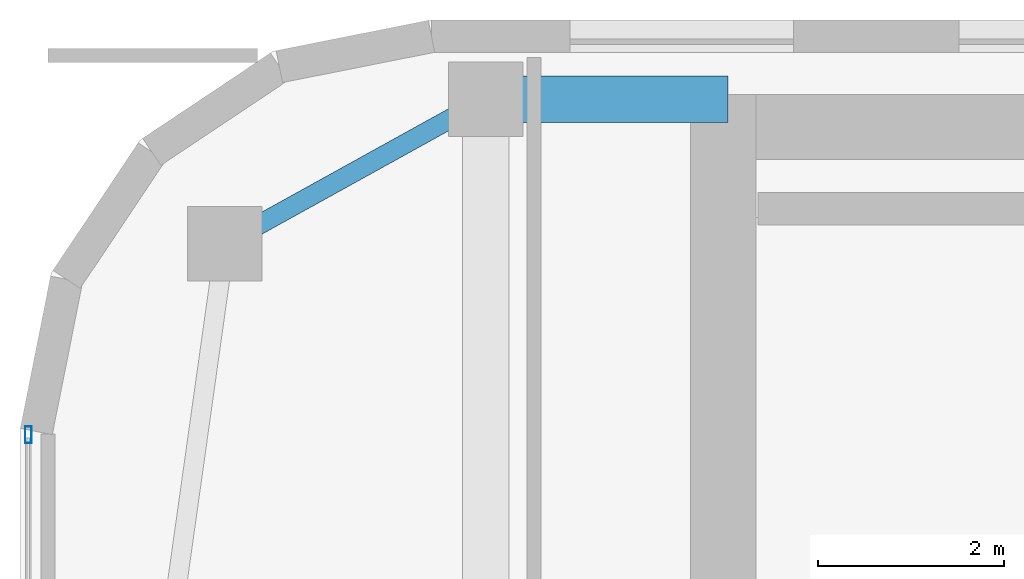
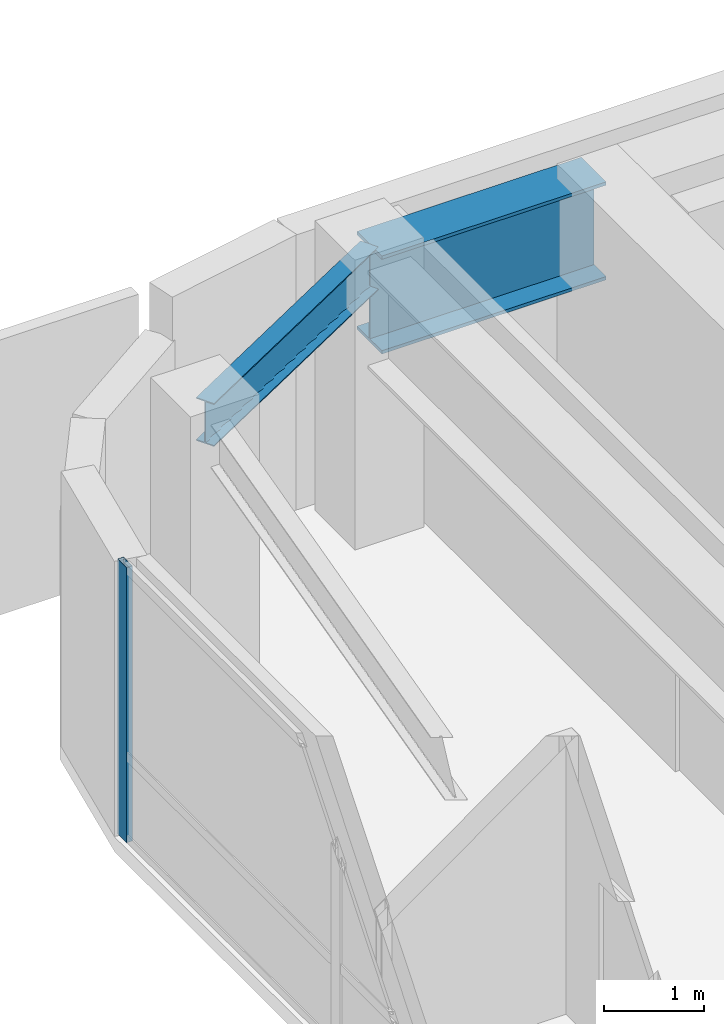
# One storey, part 15 of 24: 2 beams, 1 member, 1 element without a shape of its own.
"""IFC4 building model written with IfcOpenShell, lengths in metres."""

from ifc_helpers import new_model, si_unit, direction, frame, origin, origin_2d, place, context, subcontext, project, spatial, hollow_rectangle, i_section, extrude, source, transform, mapped, material, layer, layer_set, material_profile, profile_set, type_object, type_shapes, element, aggregate, save


model = new_model("IFC4")

# Units and contexts
model_context = context("Model", 3, precision=1e-05, world=origin(), true_north=direction((0.0, 1.0)))
body_context = subcontext(model_context, "Body", "Model", "MODEL_VIEW")
ifc_project = project(units=[si_unit("LENGTHUNIT", "METRE"), si_unit("AREAUNIT", "SQUARE_METRE"), si_unit("VOLUMEUNIT", "CUBIC_METRE"), si_unit("PLANEANGLEUNIT", "RADIAN"), si_unit("MASSUNIT", "GRAM", prefix="KILO")], contexts=[model_context])

# Site, building, storey
site_placement = place(None, origin())
site = spatial("IfcSite", under=ifc_project, at=site_placement, CompositionType="ELEMENT")
building_placement = place(site_placement, origin())
building = spatial("IfcBuilding", under=site, at=building_placement, Name="Tolvann Quenvar Hotel", CompositionType="ELEMENT")
storey_placement = place(building_placement, frame((0.0, 0.0, 157.699951171875)))
storey = spatial("IfcBuildingStorey", under=building, at=storey_placement, Name="L41", CompositionType="ELEMENT", Elevation=157.699951171875)

# Beams
ifc_material_1 = material(Name="Steel Grade 350", Category="steel")
ifc_material_profile_1 = material_profile(ifc_material_1, i_section(OverallWidth=0.5, OverallDepth=1.199951171875, WebThickness=0.01611328125, FlangeThickness=0.0400390625, at=origin_2d()), Name="1200WB455")
ifc_profile_set_1 = profile_set([ifc_material_profile_1], Name="Steel Grade 350")
beam_type_1 = type_object("IfcBeamType", Name="BM_TG_1200WB455", PredefinedType="USERDEFINED", material=ifc_profile_set_1)
shared_shape_1 = source(origin(), body_context, "Body", "SweptSolid", [
    extrude(i_section(OverallWidth=0.5, OverallDepth=1.199951171875, WebThickness=0.01611328125, FlangeThickness=0.0400390625, at=origin_2d()), origin(), (0.0, 0.0, 1.0), 2.599853515625),
])
type_shapes(beam_type_1, [shared_shape_1])
beam_1_placement = place(storey_placement, frame((7.60009765625, 45.14990234375, 2.77001953125), z_axis=(1.0, 0.0, 0.0), x_axis=(0.0, 1.0, 0.0)))
element("IfcBeam", 1, at=beam_1_placement, inside=storey, type_object=beam_type_1, Name="BM-L41-CTW-CN", ObjectType="TRANSFER GIRDER", PredefinedType="USERDEFINED", context=body_context, shape_type="MappedRepresentation", body=[
    mapped(shared_shape_1, transform((0.0, 0.0, 0.0), x_axis=(1.0, 0.0, 0.0), y_axis=(0.0, 1.0, 0.0), z_axis=(0.0, 0.0, 1.0), scale=1.0)),
])
ifc_material_profile_2 = material_profile(ifc_material_1, i_section(OverallWidth=0.208984375, OverallDepth=0.528076171875, WebThickness=0.009521484375, FlangeThickness=0.01318359375, FilletRadius=0.013916015625, at=origin_2d()), Name="530UB82")
ifc_profile_set_2 = profile_set([ifc_material_profile_2], Name="Steel Grade 350")
beam_type_2 = type_object("IfcBeamType", Name="BM_SPAND_530UB82", PredefinedType="SPANDREL", material=ifc_profile_set_2)
shared_shape_2 = source(origin(), body_context, "Body", "SweptSolid", [
    extrude(i_section(OverallWidth=0.208984375, OverallDepth=0.528076171875, WebThickness=0.009521484375, FlangeThickness=0.01318359375, FilletRadius=0.013916015625, at=origin_2d()), origin(), (0.0, 0.0, 1.0), 3.200439453125),
])
type_shapes(beam_type_2, [shared_shape_2])
beam_2_placement = place(storey_placement, frame((4.800048828125, 43.60009765625, 3.10595703125), z_axis=(0.87492264453, 0.48426270359, 0.0), x_axis=(-0.48426270359, 0.87492264453, 0.0)))
element("IfcBeam", 2, at=beam_2_placement, inside=storey, type_object=beam_type_2, Name="BM-L41-FLK-W3", PredefinedType="SPANDREL", context=body_context, shape_type="MappedRepresentation", body=[
    mapped(shared_shape_2, transform((0.0, 0.0, 0.0), x_axis=(1.0, 0.0, 0.0), y_axis=(0.0, 1.0, 0.0), z_axis=(0.0, 0.0, 1.0), scale=1.0)),
])

# Curtain wall, member
ifc_material_2 = material(Name="Thermally broken anodised architectural aluminium 6063-T6 and laminated low-E glass", Category="aluminium")
ifc_layer = layer(ifc_material_2, 0.179931640625)
ifc_layer_set = layer_set([ifc_layer], Name="Thermally broken anodised architectural aluminium 6063-T6 and laminated low-E glass")
curtain_wall_type = type_object("IfcCurtainWallType", Name="CW_SYS_BAND_04", PredefinedType="USERDEFINED", material=ifc_layer_set)
curtain_wall_placement = place(storey_placement, origin())
curtain_wall = element("IfcCurtainWall", 3, at=curtain_wall_placement, inside=storey, type_object=curtain_wall_type, Name="Curtain Wall CW-BAND-04 (CWR-L41-E23)", ObjectType="UNITISED CURTAIN WALL", PredefinedType="USERDEFINED")
ifc_material_3 = material(Name="Anodised architectural aluminium 6063-T6 framing", Category="aluminium")
ifc_material_profile_3 = material_profile(ifc_material_3, hollow_rectangle(XDim=0.070068359375, YDim=0.179931640625, WallThickness=0.00390625, at=origin_2d()), Name="180x70x4RHS")
ifc_profile_set_3 = profile_set([ifc_material_profile_3], Name="Anodised architectural aluminium 6063-T6 framing")
member_type = type_object("IfcMemberType", Name="CW_MULL_180x70", PredefinedType="MULLION", material=ifc_profile_set_3)
shared_shape_3 = source(origin(), body_context, "Body", "SweptSolid", [
    extrude(hollow_rectangle(XDim=0.070068359375, YDim=0.179931640625, WallThickness=0.00390625, at=origin_2d()), origin(), (0.0, 0.0, 1.0), 3.3701171875),
])
type_shapes(member_type, [shared_shape_3])
member_placement = place(storey_placement, frame((2.68994140625, 41.5478515625, 0.0), z_axis=(0.0, 0.0, 1.0), x_axis=(1.0, 0.0, 0.0)))
member = element("IfcMember", 4, at=member_placement, type_object=member_type, Name="CW-BAND-04 mullion 1", PredefinedType="MULLION", context=body_context, shape_type="MappedRepresentation", body=[
    mapped(shared_shape_3, transform((0.0, 0.0, 0.0), x_axis=(1.0, 0.0, 0.0), y_axis=(0.0, 1.0, 0.0), z_axis=(0.0, 0.0, 1.0), scale=1.0)),
])
aggregate(curtain_wall, [member])

save(model, "model.ifc")
